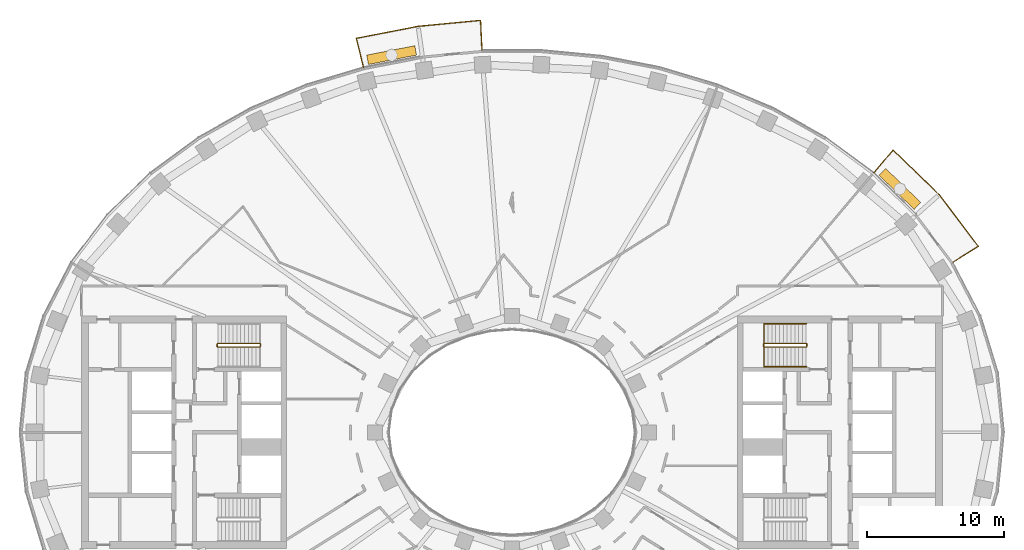
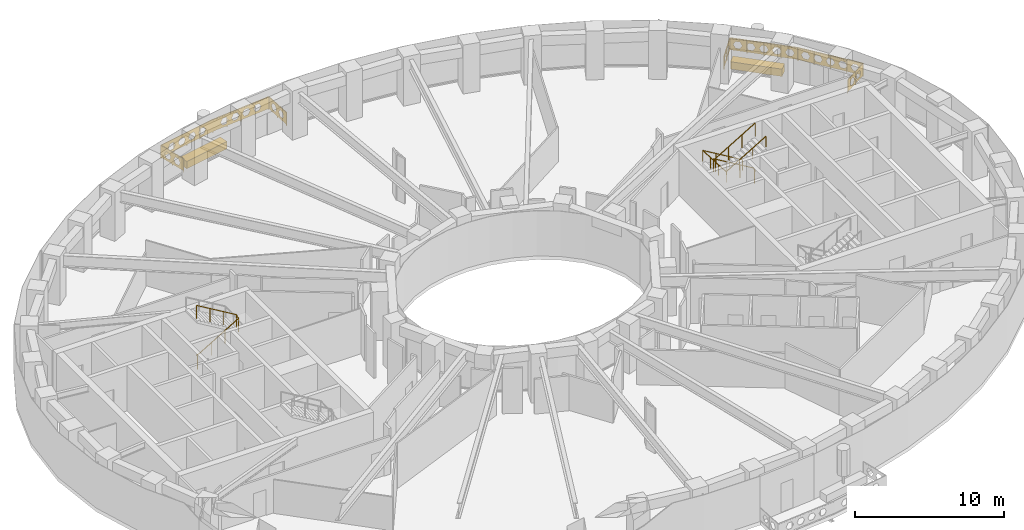
# One storey, part 15 of 16: 5 railings, 2 coverings.
"""IFC4 building model written with IfcOpenShell, lengths in metres."""

from ifc_helpers import new_model, si_unit, direction, frame, origin, origin_2d, place, context, subcontext, project, spatial, polyline, rectangle, outline, extrude, material, type_object, element, save


model = new_model("IFC4")

# Units and contexts
model_context = context("Model", 3, precision=1e-05, world=origin(), true_north=direction((0.0, 1.0)))
body_context = subcontext(model_context, "Body", "Model", "MODEL_VIEW")
ifc_project = project(units=[si_unit("LENGTHUNIT", "METRE"), si_unit("AREAUNIT", "SQUARE_METRE"), si_unit("VOLUMEUNIT", "CUBIC_METRE"), si_unit("PLANEANGLEUNIT", "RADIAN"), si_unit("MASSUNIT", "GRAM", prefix="KILO")], contexts=[model_context])

# Site, building, storey
site_placement = place(None, origin())
site = spatial("IfcSite", under=ifc_project, at=site_placement, CompositionType="ELEMENT")
building_placement = place(site_placement, origin())
building = spatial("IfcBuilding", under=site, at=building_placement, Name="Noorbagh Ring Tower", CompositionType="ELEMENT")
storey_placement = place(building_placement, frame((0.0, 0.0, 162.0)))
storey = spatial("IfcBuildingStorey", under=building, at=storey_placement, Name="L37", CompositionType="ELEMENT", Elevation=162.0)

# Railings
ifc_material_1 = material(Name="Stainless steel", Category="steel")
railing_type_1 = type_object("IfcRailingType", Name="CORE-STAIR-GUARD", PredefinedType="GUARDRAIL", material=ifc_material_1)
railing_1_placement = place(storey_placement, frame((-21.580078125, 6.300048828125, 0.0)))
element("IfcRailing", 1, at=railing_1_placement, inside=storey, type_object=railing_type_1, Name="L37 ST1 stair guard", PredefinedType="GUARDRAIL", context=body_context, shape_type="SweptSolid", body=[
    extrude(rectangle(XDim=0.048095703125, YDim=0.048095703125, at=origin_2d()), frame((0.0, 0.0, 1.076171875), z_axis=(0.0, 1.0, 0.0), x_axis=(-1.0, 0.0, 0.0)), (0.0, 0.0, 1.0), 0.14990234375),
    extrude(rectangle(XDim=0.048095703125, YDim=0.048095703125, at=origin_2d()), frame((0.0, 0.14990234375, 1.076171875), z_axis=(0.188775798145, -0.754182335027, 0.628945707965), x_axis=(0.970072785993, 0.242814311512, 0.0)), (0.0, 0.0, 1.0), 0.26513671875),
    extrude(rectangle(XDim=0.048095703125, YDim=0.048095703125, at=origin_2d()), frame((0.050048828125, -0.050048828125, 1.24267578125), z_axis=(0.859308565015, 0.0, 0.511457515432), x_axis=(0.0, 1.0, 0.0)), (0.0, 0.0, 1.0), 3.58447265625),
    extrude(rectangle(XDim=0.048095703125, YDim=0.048095703125, at=origin_2d()), frame((3.130126953125, -0.050048828125, 3.076171875), z_axis=(0.707106781187, 0.707106781187, 0.0), x_axis=(-0.707106781187, 0.707106781187, 0.0)), (0.0, 0.0, 1.0), 0.07080078125),
    extrude(rectangle(XDim=0.048095703125, YDim=0.048095703125, at=origin_2d()), frame((3.18017578125, 0.0, 3.076171875), z_axis=(0.0, 1.0, 0.0), x_axis=(-1.0, 0.0, 0.0)), (0.0, 0.0, 1.0), 0.14990234375),
    extrude(rectangle(XDim=0.048095703125, YDim=0.048095703125, at=origin_2d()), frame((3.18017578125, 0.14990234375, 3.076171875), z_axis=(-0.27628659633, 0.27628659633, 0.920506074601), x_axis=(-0.707106781187, -0.707106781187, 0.0)), (0.0, 0.0, 1.0), 0.18115234375),
    extrude(rectangle(XDim=0.048095703125, YDim=0.048095703125, at=origin_2d()), frame((3.130126953125, 0.199951171875, 3.24267578125), z_axis=(-0.859308565015, 0.0, 0.511457515432), x_axis=(0.0, -1.0, 0.0)), (0.0, 0.0, 1.0), 3.58447265625),
    extrude(rectangle(XDim=0.0419921875, YDim=0.0419921875, at=origin_2d()), origin(), (0.0, 0.0, 1.0), 1.052001953125),
    extrude(rectangle(XDim=0.0419921875, YDim=0.0419921875, at=origin_2d()), frame((1.07666015625, -0.050048828125, 0.77783203125)), (0.0, 0.0, 1.0), 1.052001953125),
    extrude(rectangle(XDim=0.0419921875, YDim=0.0419921875, at=origin_2d()), frame((2.103515625, -0.050048828125, 1.388916015625)), (0.0, 0.0, 1.0), 1.052001953125),
    extrude(rectangle(XDim=0.0419921875, YDim=0.0419921875, at=origin_2d()), frame((3.130126953125, -0.050048828125, 2.0)), (0.0, 0.0, 1.0), 1.052001953125),
    extrude(rectangle(XDim=0.0419921875, YDim=0.0419921875, at=origin_2d()), frame((3.130126953125, 0.199951171875, 2.166748046875)), (0.0, 0.0, 1.0), 1.052001953125),
    extrude(rectangle(XDim=0.0419921875, YDim=0.0419921875, at=origin_2d()), frame((2.103515625, 0.199951171875, 2.77783203125)), (0.0, 0.0, 1.0), 1.052001953125),
    extrude(rectangle(XDim=0.0419921875, YDim=0.0419921875, at=origin_2d()), frame((1.07666015625, 0.199951171875, 3.388916015625)), (0.0, 0.0, 1.0), 1.052001953125),
    extrude(rectangle(XDim=0.0419921875, YDim=0.0419921875, at=origin_2d()), frame((0.050048828125, 0.199951171875, 4.0)), (0.0, 0.0, 1.0), 1.052001953125),
])
railing_2_placement = place(storey_placement, frame((21.580078125, 6.449951171875, 0.0)))
element("IfcRailing", 2, at=railing_2_placement, inside=storey, type_object=railing_type_1, Name="L37 ST3 stair guard", PredefinedType="GUARDRAIL", context=body_context, shape_type="SweptSolid", body=[
    extrude(rectangle(XDim=0.048095703125, YDim=0.048095703125, at=origin_2d()), frame((0.0, 0.0, 1.076171875), z_axis=(0.0, -1.0, 0.0), x_axis=(1.0, 0.0, 0.0)), (0.0, 0.0, 1.0), 0.14990234375),
    extrude(rectangle(XDim=0.048095703125, YDim=0.048095703125, at=origin_2d()), frame((0.0, -0.14990234375, 1.076171875), z_axis=(-0.188775798145, 0.754182335027, 0.628945707965), x_axis=(-0.970072785993, -0.242814311512, 0.0)), (0.0, 0.0, 1.0), 0.26513671875),
    extrude(rectangle(XDim=0.048095703125, YDim=0.048095703125, at=origin_2d()), frame((-0.050048828125, 0.050048828125, 1.24267578125), z_axis=(-0.859308565015, 0.0, 0.511457515432), x_axis=(0.0, -1.0, 0.0)), (0.0, 0.0, 1.0), 3.58447265625),
    extrude(rectangle(XDim=0.048095703125, YDim=0.048095703125, at=origin_2d()), frame((-3.130126953125, 0.050048828125, 3.076171875), z_axis=(-0.707106781187, -0.707106781187, 0.0), x_axis=(0.707106781187, -0.707106781187, 0.0)), (0.0, 0.0, 1.0), 0.07080078125),
    extrude(rectangle(XDim=0.048095703125, YDim=0.048095703125, at=origin_2d()), frame((-3.18017578125, 0.0, 3.076171875), z_axis=(0.0, -1.0, 0.0), x_axis=(1.0, 0.0, 0.0)), (0.0, 0.0, 1.0), 0.14990234375),
    extrude(rectangle(XDim=0.048095703125, YDim=0.048095703125, at=origin_2d()), frame((-3.18017578125, -0.14990234375, 3.076171875), z_axis=(0.27628659633, -0.27628659633, 0.920506074601), x_axis=(0.707106781187, 0.707106781187, 0.0)), (0.0, 0.0, 1.0), 0.18115234375),
    extrude(rectangle(XDim=0.048095703125, YDim=0.048095703125, at=origin_2d()), frame((-3.130126953125, -0.199951171875, 3.24267578125), z_axis=(0.859308565015, 0.0, 0.511457515432), x_axis=(0.0, 1.0, 0.0)), (0.0, 0.0, 1.0), 3.58447265625),
    extrude(rectangle(XDim=0.0419921875, YDim=0.0419921875, at=origin_2d()), origin(), (0.0, 0.0, 1.0), 1.052001953125),
    extrude(rectangle(XDim=0.0419921875, YDim=0.0419921875, at=origin_2d()), frame((-1.07666015625, 0.050048828125, 0.77783203125)), (0.0, 0.0, 1.0), 1.052001953125),
    extrude(rectangle(XDim=0.0419921875, YDim=0.0419921875, at=origin_2d()), frame((-2.103515625, 0.050048828125, 1.388916015625)), (0.0, 0.0, 1.0), 1.052001953125),
    extrude(rectangle(XDim=0.0419921875, YDim=0.0419921875, at=origin_2d()), frame((-3.130126953125, 0.050048828125, 2.0)), (0.0, 0.0, 1.0), 1.052001953125),
    extrude(rectangle(XDim=0.0419921875, YDim=0.0419921875, at=origin_2d()), frame((-3.130126953125, -0.199951171875, 2.166748046875)), (0.0, 0.0, 1.0), 1.052001953125),
    extrude(rectangle(XDim=0.0419921875, YDim=0.0419921875, at=origin_2d()), frame((-2.103515625, -0.199951171875, 2.77783203125)), (0.0, 0.0, 1.0), 1.052001953125),
    extrude(rectangle(XDim=0.0419921875, YDim=0.0419921875, at=origin_2d()), frame((-1.07666015625, -0.199951171875, 3.388916015625)), (0.0, 0.0, 1.0), 1.052001953125),
    extrude(rectangle(XDim=0.0419921875, YDim=0.0419921875, at=origin_2d()), frame((-0.050048828125, -0.199951171875, 4.0)), (0.0, 0.0, 1.0), 1.052001953125),
])
ifc_material_2 = material(Name="Stainless steel", Category="steel")
railing_type_2 = type_object("IfcRailingType", Name="CORE-STAIR-HANDRAIL", PredefinedType="HANDRAIL", material=ifc_material_2)
railing_3_placement = place(storey_placement, frame((21.530029296875, 7.949951171875, 0.166748046875)))
element("IfcRailing", 3, at=railing_3_placement, inside=storey, type_object=railing_type_2, Name="L37 ST3 stair handrail", PredefinedType="HANDRAIL", context=body_context, shape_type="SweptSolid", body=[
    extrude(rectangle(XDim=0.048095703125, YDim=0.048095703125, at=origin_2d()), frame((0.0, 0.0, 0.8759765625), z_axis=(-0.859308565015, 0.0, 0.511457515432), x_axis=(0.0, -1.0, 0.0)), (0.0, 0.0, 1.0), 3.58447265625),
    extrude(rectangle(XDim=0.048095703125, YDim=0.048095703125, at=origin_2d()), frame((-3.080078125, 0.0, 2.708984375), z_axis=(0.0, -0.998601747152, 0.052863509014), x_axis=(1.0, 0.0, 0.0)), (0.0, 0.0, 1.0), 3.154296875),
    extrude(rectangle(XDim=0.048095703125, YDim=0.048095703125, at=origin_2d()), frame((-3.080078125, -3.14990234375, 2.8759765625), z_axis=(0.859308565015, 0.0, 0.511457515432), x_axis=(0.0, 1.0, 0.0)), (0.0, 0.0, 1.0), 3.58447265625),
    extrude(rectangle(XDim=0.0419921875, YDim=0.0419921875, at=origin_2d()), origin(), (0.0, 0.0, 1.0), 0.851806640625),
    extrude(rectangle(XDim=0.0419921875, YDim=0.0419921875, at=origin_2d()), frame((-1.026611328125, 0.0, 0.611083984375)), (0.0, 0.0, 1.0), 0.851806640625),
    extrude(rectangle(XDim=0.0419921875, YDim=0.0419921875, at=origin_2d()), frame((-2.053466796875, 0.0, 1.22216796875)), (0.0, 0.0, 1.0), 0.851806640625),
    extrude(rectangle(XDim=0.0419921875, YDim=0.0419921875, at=origin_2d()), frame((-3.080078125, 0.0, 1.833251953125)), (0.0, 0.0, 1.0), 0.851806640625),
    extrude(rectangle(XDim=0.0419921875, YDim=0.0419921875, at=origin_2d()), frame((-3.080078125, -1.050048828125, 1.888916015625)), (0.0, 0.0, 1.0), 0.851806640625),
    extrude(rectangle(XDim=0.0419921875, YDim=0.0419921875, at=origin_2d()), frame((-3.080078125, -2.099853515625, 1.9443359375)), (0.0, 0.0, 1.0), 0.851806640625),
    extrude(rectangle(XDim=0.0419921875, YDim=0.0419921875, at=origin_2d()), frame((-3.080078125, -3.14990234375, 2.0)), (0.0, 0.0, 1.0), 0.851806640625),
    extrude(rectangle(XDim=0.0419921875, YDim=0.0419921875, at=origin_2d()), frame((-2.053466796875, -3.14990234375, 2.611083984375)), (0.0, 0.0, 1.0), 0.851806640625),
    extrude(rectangle(XDim=0.0419921875, YDim=0.0419921875, at=origin_2d()), frame((-1.026611328125, -3.14990234375, 3.22216796875)), (0.0, 0.0, 1.0), 0.851806640625),
    extrude(rectangle(XDim=0.0419921875, YDim=0.0419921875, at=origin_2d()), frame((0.0, -3.14990234375, 3.833251953125)), (0.0, 0.0, 1.0), 0.851806640625),
])
ifc_material_3 = material(Name="Steel S275 black powder-coated", Category="steel")
railing_type_3 = type_object("IfcRailingType", Name="ENV-GUARD", PredefinedType="GUARDRAIL", material=ifc_material_3)
railing_4_placement = place(storey_placement, frame((32.255126953125, 12.434814453125, 0.0)))
element("IfcRailing", 4, at=railing_4_placement, inside=storey, type_object=railing_type_3, Name="Balcony guard BN01", PredefinedType="GUARDRAIL", context=body_context, shape_type="SweptSolid", body=[
    extrude(rectangle(XDim=0.048095703125, YDim=0.048095703125, at=origin_2d()), frame((0.0, 0.0, 1.076171875), z_axis=(0.844852397829, 0.534999463442, 0.0), x_axis=(-0.534999463442, 0.844852397829, 0.0)), (0.0, 0.0, 1.0), 2.207763671875),
    extrude(rectangle(XDim=0.048095703125, YDim=0.048095703125, at=origin_2d()), frame((1.865234375, 1.18115234375, 1.076171875), z_axis=(-0.604001613322, 0.796983093362, 0.0), x_axis=(-0.796983093362, -0.604001613322, 0.0)), (0.0, 0.0, 1.0), 4.7353515625),
    extrude(rectangle(XDim=0.048095703125, YDim=0.048095703125, at=origin_2d()), frame((-0.994873046875, 4.955078125, 1.076171875), z_axis=(-0.717212632946, 0.696854388766, 0.0), x_axis=(-0.696854388766, -0.717212632946, 0.0)), (0.0, 0.0, 1.0), 4.700927734375),
    extrude(rectangle(XDim=0.048095703125, YDim=0.048095703125, at=origin_2d()), frame((-4.366455078125, 8.23095703125, 1.076171875), z_axis=(-0.646413574048, -0.762987215677, 0.0), x_axis=(0.762987215677, -0.646413574048, 0.0)), (0.0, 0.0, 1.0), 2.205322265625),
    extrude(rectangle(XDim=0.0419921875, YDim=0.0419921875, at=origin_2d()), origin(), (0.0, 0.0, 1.0), 1.052001953125),
    extrude(rectangle(XDim=0.0419921875, YDim=0.0419921875, at=origin_2d()), frame((0.9326171875, 0.590576171875, 0.0)), (0.0, 0.0, 1.0), 1.052001953125),
    extrude(rectangle(XDim=0.0419921875, YDim=0.0419921875, at=origin_2d()), frame((1.865234375, 1.18115234375, 0.0)), (0.0, 0.0, 1.0), 1.052001953125),
    extrude(rectangle(XDim=0.0419921875, YDim=0.0419921875, at=origin_2d()), frame((1.150146484375, 2.12451171875, 0.0)), (0.0, 0.0, 1.0), 1.052001953125),
    extrude(rectangle(XDim=0.0419921875, YDim=0.0419921875, at=origin_2d()), frame((0.43505859375, 3.068115234375, 0.0)), (0.0, 0.0, 1.0), 1.052001953125),
    extrude(rectangle(XDim=0.0419921875, YDim=0.0419921875, at=origin_2d()), frame((-0.27978515625, 4.01171875, 0.0)), (0.0, 0.0, 1.0), 1.052001953125),
    extrude(rectangle(XDim=0.0419921875, YDim=0.0419921875, at=origin_2d()), frame((-0.994873046875, 4.955078125, 0.0)), (0.0, 0.0, 1.0), 1.052001953125),
    extrude(rectangle(XDim=0.0419921875, YDim=0.0419921875, at=origin_2d()), frame((-1.837890625, 5.77392578125, 0.0)), (0.0, 0.0, 1.0), 1.052001953125),
    extrude(rectangle(XDim=0.0419921875, YDim=0.0419921875, at=origin_2d()), frame((-2.6806640625, 6.593017578125, 0.0)), (0.0, 0.0, 1.0), 1.052001953125),
    extrude(rectangle(XDim=0.0419921875, YDim=0.0419921875, at=origin_2d()), frame((-3.5234375, 7.412109375, 0.0)), (0.0, 0.0, 1.0), 1.052001953125),
    extrude(rectangle(XDim=0.0419921875, YDim=0.0419921875, at=origin_2d()), frame((-4.366455078125, 8.23095703125, 0.0)), (0.0, 0.0, 1.0), 1.052001953125),
    extrude(rectangle(XDim=0.0419921875, YDim=0.0419921875, at=origin_2d()), frame((-5.0791015625, 7.3896484375, 0.0)), (0.0, 0.0, 1.0), 1.052001953125),
    extrude(rectangle(XDim=0.0419921875, YDim=0.0419921875, at=origin_2d()), frame((-5.7919921875, 6.54833984375, 0.0)), (0.0, 0.0, 1.0), 1.052001953125),
    extrude(outline(polyline([(0.0, 0.10009765625), (2.207763671875, 0.10009765625), (2.207763671875, 1.031982421875), (0.0, 1.031982421875), (0.0, 0.10009765625)]), holes=[polyline([(0.9638671875, 0.56591796875), (0.808837890625, 0.83447265625), (0.498779296875, 0.83447265625), (0.343994140625, 0.56591796875), (0.498779296875, 0.297607421875), (0.808837890625, 0.297607421875), (0.9638671875, 0.56591796875)]), polyline([(1.86376953125, 0.56591796875), (1.708984375, 0.83447265625), (1.39892578125, 0.83447265625), (1.243896484375, 0.56591796875), (1.39892578125, 0.297607421875), (1.708984375, 0.297607421875), (1.86376953125, 0.56591796875)])]), frame((-0.00537109375, 0.008544921875, 0.0), z_axis=(0.534999463442, -0.844852397829, 0.0), x_axis=(0.844852397829, 0.534999463442, 0.0)), (0.0, 0.0, 1.0), 0.02001953125),
    extrude(outline(polyline([(0.0, 0.10009765625), (4.7353515625, 0.10009765625), (4.7353515625, 1.031982421875), (0.0, 1.031982421875), (0.0, 0.10009765625)]), holes=[polyline([(0.877685546875, 0.56591796875), (0.72265625, 0.83447265625), (0.41259765625, 0.83447265625), (0.257568359375, 0.56591796875), (0.41259765625, 0.297607421875), (0.72265625, 0.297607421875), (0.877685546875, 0.56591796875)]), polyline([(1.777587890625, 0.56591796875), (1.62255859375, 0.83447265625), (1.312744140625, 0.83447265625), (1.15771484375, 0.56591796875), (1.312744140625, 0.297607421875), (1.62255859375, 0.297607421875), (1.777587890625, 0.56591796875)]), polyline([(2.677734375, 0.56591796875), (2.522705078125, 0.83447265625), (2.212646484375, 0.83447265625), (2.0576171875, 0.56591796875), (2.212646484375, 0.297607421875), (2.522705078125, 0.297607421875), (2.677734375, 0.56591796875)]), polyline([(3.57763671875, 0.56591796875), (3.422607421875, 0.83447265625), (3.112548828125, 0.83447265625), (2.95751953125, 0.56591796875), (3.112548828125, 0.297607421875), (3.422607421875, 0.297607421875), (3.57763671875, 0.56591796875)]), polyline([(4.4775390625, 0.56591796875), (4.32275390625, 0.83447265625), (4.0126953125, 0.83447265625), (3.857666015625, 0.56591796875), (4.0126953125, 0.297607421875), (4.32275390625, 0.297607421875), (4.4775390625, 0.56591796875)])]), frame((1.857177734375, 1.175048828125, 0.0), z_axis=(0.796983093362, 0.604001613322, 0.0), x_axis=(-0.604001613322, 0.796983093362, 0.0)), (0.0, 0.0, 1.0), 0.02001953125),
    extrude(outline(polyline([(0.0, 0.10009765625), (4.700927734375, 0.10009765625), (4.700927734375, 1.031982421875), (0.0, 1.031982421875), (0.0, 0.10009765625)]), holes=[polyline([(0.860595703125, 0.56591796875), (0.70556640625, 0.83447265625), (0.3955078125, 0.83447265625), (0.240478515625, 0.56591796875), (0.3955078125, 0.297607421875), (0.70556640625, 0.297607421875), (0.860595703125, 0.56591796875)]), polyline([(1.760498046875, 0.56591796875), (1.60546875, 0.83447265625), (1.29541015625, 0.83447265625), (1.140380859375, 0.56591796875), (1.29541015625, 0.297607421875), (1.60546875, 0.297607421875), (1.760498046875, 0.56591796875)]), polyline([(2.660400390625, 0.56591796875), (2.50537109375, 0.83447265625), (2.195556640625, 0.83447265625), (2.04052734375, 0.56591796875), (2.195556640625, 0.297607421875), (2.50537109375, 0.297607421875), (2.660400390625, 0.56591796875)]), polyline([(3.560546875, 0.56591796875), (3.405517578125, 0.83447265625), (3.095458984375, 0.83447265625), (2.9404296875, 0.56591796875), (3.095458984375, 0.297607421875), (3.405517578125, 0.297607421875), (3.560546875, 0.56591796875)]), polyline([(4.46044921875, 0.56591796875), (4.305419921875, 0.83447265625), (3.995361328125, 0.83447265625), (3.840576171875, 0.56591796875), (3.995361328125, 0.297607421875), (4.305419921875, 0.297607421875), (4.46044921875, 0.56591796875)])]), frame((-1.001953125, 4.947998046875, 0.0), z_axis=(0.696854388766, 0.717212632946, 0.0), x_axis=(-0.717212632946, 0.696854388766, 0.0)), (0.0, 0.0, 1.0), 0.02001953125),
    extrude(outline(polyline([(0.0, 0.10009765625), (2.205322265625, 0.10009765625), (2.205322265625, 1.031982421875), (0.0, 1.031982421875), (0.0, 0.10009765625)]), holes=[polyline([(0.962646484375, 0.56591796875), (0.8076171875, 0.83447265625), (0.49755859375, 0.83447265625), (0.342529296875, 0.56591796875), (0.49755859375, 0.297607421875), (0.8076171875, 0.297607421875), (0.962646484375, 0.56591796875)]), polyline([(1.862548828125, 0.56591796875), (1.707763671875, 0.83447265625), (1.397705078125, 0.83447265625), (1.24267578125, 0.56591796875), (1.397705078125, 0.297607421875), (1.707763671875, 0.297607421875), (1.862548828125, 0.56591796875)])]), frame((-4.35888671875, 8.224609375, 0.0), z_axis=(-0.762987215677, 0.646413574048, 0.0), x_axis=(-0.646413574048, -0.762987215677, 0.0)), (0.0, 0.0, 1.0), 0.02001953125),
])
railing_5_placement = place(storey_placement, frame((-2.193115234375, 27.947998046875, 0.0)))
element("IfcRailing", 5, at=railing_5_placement, inside=storey, type_object=railing_type_3, Name="Balcony guard BN04", PredefinedType="GUARDRAIL", context=body_context, shape_type="SweptSolid", body=[
    extrude(rectangle(XDim=0.048095703125, YDim=0.048095703125, at=origin_2d()), frame((0.0, 0.0, 1.076171875), z_axis=(-0.047554616162, 0.998868639252, 0.0), x_axis=(-0.998868639252, -0.047554616162, 0.0)), (0.0, 0.0, 1.0), 2.202392578125),
    extrude(rectangle(XDim=0.048095703125, YDim=0.048095703125, at=origin_2d()), frame((-0.104736328125, 2.199951171875, 1.076171875), z_axis=(-0.995477555764, -0.094997031379, 0.0), x_axis=(0.094997031379, -0.995477555764, 0.0)), (0.0, 0.0, 1.0), 4.59765625),
    extrude(rectangle(XDim=0.048095703125, YDim=0.048095703125, at=origin_2d()), frame((-4.681640625, 1.76318359375, 1.076171875), z_axis=(-0.981625049064, -0.1908199755, 0.0), x_axis=(0.1908199755, -0.981625049064, 0.0)), (0.0, 0.0, 1.0), 4.603271484375),
    extrude(rectangle(XDim=0.048095703125, YDim=0.048095703125, at=origin_2d()), frame((-9.200439453125, 0.884765625, 1.076171875), z_axis=(0.239848558412, -0.970810315679, 0.0), x_axis=(0.970810315679, 0.239848558412, 0.0)), (0.0, 0.0, 1.0), 2.20263671875),
    extrude(rectangle(XDim=0.0419921875, YDim=0.0419921875, at=origin_2d()), origin(), (0.0, 0.0, 1.0), 1.052001953125),
    extrude(rectangle(XDim=0.0419921875, YDim=0.0419921875, at=origin_2d()), frame((-0.05224609375, 1.10009765625, 0.0)), (0.0, 0.0, 1.0), 1.052001953125),
    extrude(rectangle(XDim=0.0419921875, YDim=0.0419921875, at=origin_2d()), frame((-0.104736328125, 2.199951171875, 0.0)), (0.0, 0.0, 1.0), 1.052001953125),
    extrude(rectangle(XDim=0.0419921875, YDim=0.0419921875, at=origin_2d()), frame((-1.2490234375, 2.0908203125, 0.0)), (0.0, 0.0, 1.0), 1.052001953125),
    extrude(rectangle(XDim=0.0419921875, YDim=0.0419921875, at=origin_2d()), frame((-2.39306640625, 1.9814453125, 0.0)), (0.0, 0.0, 1.0), 1.052001953125),
    extrude(rectangle(XDim=0.0419921875, YDim=0.0419921875, at=origin_2d()), frame((-3.537353515625, 1.872314453125, 0.0)), (0.0, 0.0, 1.0), 1.052001953125),
    extrude(rectangle(XDim=0.0419921875, YDim=0.0419921875, at=origin_2d()), frame((-4.681640625, 1.76318359375, 0.0)), (0.0, 0.0, 1.0), 1.052001953125),
    extrude(rectangle(XDim=0.0419921875, YDim=0.0419921875, at=origin_2d()), frame((-5.811279296875, 1.54345703125, 0.0)), (0.0, 0.0, 1.0), 1.052001953125),
    extrude(rectangle(XDim=0.0419921875, YDim=0.0419921875, at=origin_2d()), frame((-6.94091796875, 1.323974609375, 0.0)), (0.0, 0.0, 1.0), 1.052001953125),
    extrude(rectangle(XDim=0.0419921875, YDim=0.0419921875, at=origin_2d()), frame((-8.07080078125, 1.1044921875, 0.0)), (0.0, 0.0, 1.0), 1.052001953125),
    extrude(rectangle(XDim=0.0419921875, YDim=0.0419921875, at=origin_2d()), frame((-9.200439453125, 0.884765625, 0.0)), (0.0, 0.0, 1.0), 1.052001953125),
    extrude(rectangle(XDim=0.0419921875, YDim=0.0419921875, at=origin_2d()), frame((-8.936279296875, -0.1845703125, 0.0)), (0.0, 0.0, 1.0), 1.052001953125),
    extrude(rectangle(XDim=0.0419921875, YDim=0.0419921875, at=origin_2d()), frame((-8.672119140625, -1.253662109375, 0.0)), (0.0, 0.0, 1.0), 1.052001953125),
    extrude(outline(polyline([(0.0, 0.10009765625), (2.202392578125, 0.10009765625), (2.202392578125, 1.031982421875), (0.0, 1.031982421875), (0.0, 0.10009765625)]), holes=[polyline([(0.961181640625, 0.56591796875), (0.80615234375, 0.83447265625), (0.496337890625, 0.83447265625), (0.34130859375, 0.56591796875), (0.496337890625, 0.297607421875), (0.80615234375, 0.297607421875), (0.961181640625, 0.56591796875)]), polyline([(1.861328125, 0.56591796875), (1.706298828125, 0.83447265625), (1.396240234375, 0.83447265625), (1.2412109375, 0.56591796875), (1.396240234375, 0.297607421875), (1.706298828125, 0.297607421875), (1.861328125, 0.56591796875)])]), frame((-0.010009765625, -0.00048828125, 0.0), z_axis=(0.998868639252, 0.047554616162, 0.0), x_axis=(-0.047554616162, 0.998868639252, 0.0)), (0.0, 0.0, 1.0), 0.02001953125),
    extrude(outline(polyline([(0.0, 0.10009765625), (4.59765625, 0.10009765625), (4.59765625, 1.031982421875), (0.0, 1.031982421875), (0.0, 0.10009765625)]), holes=[polyline([(1.2587890625, 0.56591796875), (1.103759765625, 0.83447265625), (0.7939453125, 0.83447265625), (0.638916015625, 0.56591796875), (0.7939453125, 0.297607421875), (1.103759765625, 0.297607421875), (1.2587890625, 0.56591796875)]), polyline([(2.158935546875, 0.56591796875), (2.00390625, 0.83447265625), (1.69384765625, 0.83447265625), (1.538818359375, 0.56591796875), (1.69384765625, 0.297607421875), (2.00390625, 0.297607421875), (2.158935546875, 0.56591796875)]), polyline([(3.058837890625, 0.56591796875), (2.90380859375, 0.83447265625), (2.59375, 0.83447265625), (2.43896484375, 0.56591796875), (2.59375, 0.297607421875), (2.90380859375, 0.297607421875), (3.058837890625, 0.56591796875)]), polyline([(3.958740234375, 0.56591796875), (3.803955078125, 0.83447265625), (3.493896484375, 0.83447265625), (3.3388671875, 0.56591796875), (3.493896484375, 0.297607421875), (3.803955078125, 0.297607421875), (3.958740234375, 0.56591796875)])]), frame((-0.103759765625, 2.18994140625, 0.0), z_axis=(-0.094997031379, 0.995477555764, 0.0), x_axis=(-0.995477555764, -0.094997031379, 0.0)), (0.0, 0.0, 1.0), 0.02001953125),
    extrude(outline(polyline([(0.0, 0.10009765625), (4.603271484375, 0.10009765625), (4.603271484375, 1.031982421875), (0.0, 1.031982421875), (0.0, 0.10009765625)]), holes=[polyline([(1.26171875, 0.56591796875), (1.106689453125, 0.83447265625), (0.796630859375, 0.83447265625), (0.6416015625, 0.56591796875), (0.796630859375, 0.297607421875), (1.106689453125, 0.297607421875), (1.26171875, 0.56591796875)]), polyline([(2.16162109375, 0.56591796875), (2.006591796875, 0.83447265625), (1.69677734375, 0.83447265625), (1.541748046875, 0.56591796875), (1.69677734375, 0.297607421875), (2.006591796875, 0.297607421875), (2.16162109375, 0.56591796875)]), polyline([(3.061767578125, 0.56591796875), (2.90673828125, 0.83447265625), (2.5966796875, 0.83447265625), (2.441650390625, 0.56591796875), (2.5966796875, 0.297607421875), (2.90673828125, 0.297607421875), (3.061767578125, 0.56591796875)]), polyline([(3.961669921875, 0.56591796875), (3.806640625, 0.83447265625), (3.49658203125, 0.83447265625), (3.341796875, 0.56591796875), (3.49658203125, 0.297607421875), (3.806640625, 0.297607421875), (3.961669921875, 0.56591796875)])]), frame((-4.6796875, 1.75341796875, 0.0), z_axis=(-0.1908199755, 0.981625049064, 0.0), x_axis=(-0.981625049064, -0.1908199755, 0.0)), (0.0, 0.0, 1.0), 0.02001953125),
    extrude(outline(polyline([(0.0, 0.10009765625), (2.20263671875, 0.10009765625), (2.20263671875, 1.031982421875), (0.0, 1.031982421875), (0.0, 0.10009765625)]), holes=[polyline([(0.96142578125, 0.56591796875), (0.806396484375, 0.83447265625), (0.496337890625, 0.83447265625), (0.34130859375, 0.56591796875), (0.496337890625, 0.297607421875), (0.806396484375, 0.297607421875), (0.96142578125, 0.56591796875)]), polyline([(1.861328125, 0.56591796875), (1.706298828125, 0.83447265625), (1.396240234375, 0.83447265625), (1.241455078125, 0.56591796875), (1.396240234375, 0.297607421875), (1.706298828125, 0.297607421875), (1.861328125, 0.56591796875)])]), frame((-9.190673828125, 0.88720703125, 0.0), z_axis=(-0.970810315679, -0.239848558412, 0.0), x_axis=(0.239848558412, -0.970810315679, 0.0)), (0.0, 0.0, 1.0), 0.02001953125),
])

# Coverings
ifc_material_4 = material(Name="Concrete C30/37 planter with soil", Category="concrete")
covering_type = type_object("IfcCoveringType", Name="ENV-PLANTER", PredefinedType="CLADDING", material=ifc_material_4)
covering_1_placement = place(storey_placement, frame((28.3837890625, 17.814208984375, 0.0), z_axis=(0.0, 0.0, 1.0), x_axis=(-0.717224548362, 0.696842125038, 0.0)))
element("IfcCovering", 6, at=covering_1_placement, inside=storey, type_object=covering_type, Name="PLANTER BN01", ObjectType="PLANTER", PredefinedType="CLADDING", context=body_context, shape_type="SweptSolid", body=[
    extrude(rectangle(XDim=3.584228515625, YDim=0.699951171875, at=origin_2d()), origin(), (0.0, 0.0, 1.0), 0.60009765625),
])
covering_2_placement = place(storey_placement, frame((-8.807861328125, 27.603515625, 0.0), z_axis=(0.0, 0.0, 1.0), x_axis=(-0.981624952922, -0.190820470077, 0.0)))
element("IfcCovering", 7, at=covering_2_placement, inside=storey, type_object=covering_type, Name="PLANTER BN04", ObjectType="PLANTER", PredefinedType="CLADDING", context=body_context, shape_type="SweptSolid", body=[
    extrude(rectangle(XDim=3.586181640625, YDim=0.699951171875, at=origin_2d()), origin(), (0.0, 0.0, 1.0), 0.60009765625),
])

save(model, "model.ifc")
